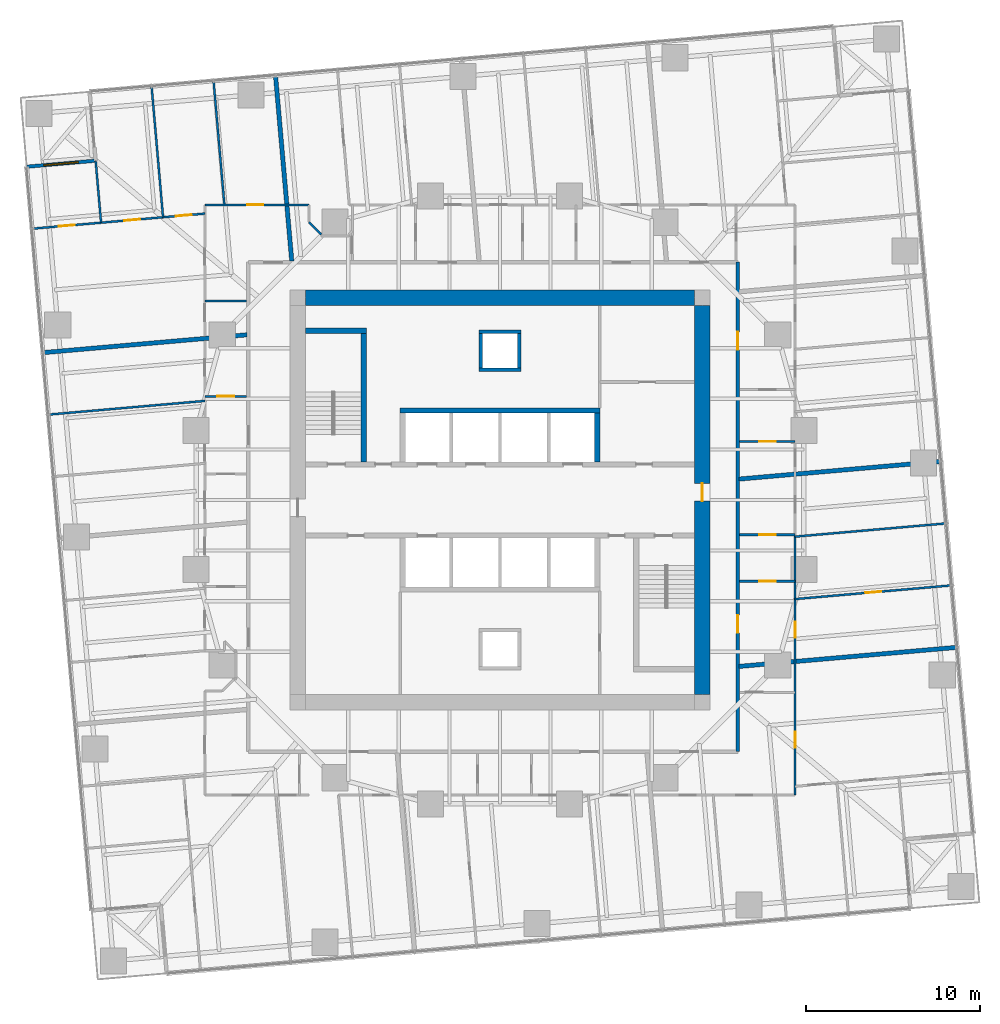
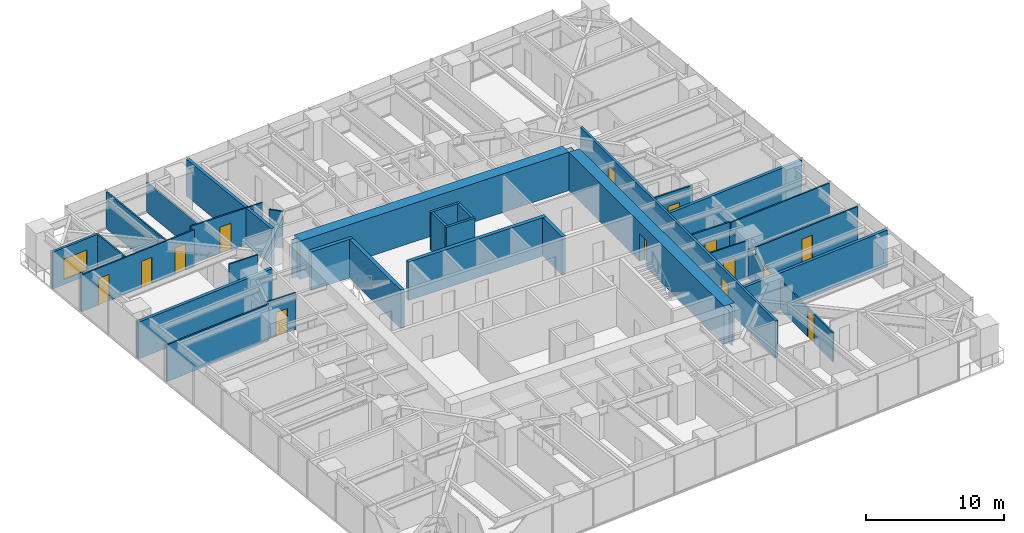
# One storey, part 11 of 14: 31 walls, 14 doors, 1 window, 15 openings.
"""IFC4 building model written with IfcOpenShell, lengths in metres."""

from ifc_helpers import new_model, si_unit, direction, frame, frame_2d, origin, place, context, subcontext, project, spatial, polyline, rectangle, outline, extrude, material, layer, layer_set, type_object, element, fill, save


model = new_model("IFC4")

# Units and contexts
model_context = context("Model", 3, precision=1e-05, world=origin(), true_north=direction((0.0, 1.0)))
body_context = subcontext(model_context, "Body", "Model", "MODEL_VIEW")
ifc_project = project(units=[si_unit("LENGTHUNIT", "METRE"), si_unit("AREAUNIT", "SQUARE_METRE"), si_unit("VOLUMEUNIT", "CUBIC_METRE"), si_unit("PLANEANGLEUNIT", "RADIAN"), si_unit("MASSUNIT", "GRAM", prefix="KILO")], contexts=[model_context])

# Site, building, storey
site_placement = place(None, origin())
site = spatial("IfcSite", under=ifc_project, at=site_placement, CompositionType="ELEMENT")
building_placement = place(site_placement, origin())
building = spatial("IfcBuilding", under=site, at=building_placement, Name="Torsade Residences", CompositionType="ELEMENT")
storey_placement = place(building_placement, frame((0.0, 0.0, 54.0)))
storey = spatial("IfcBuildingStorey", under=building, at=storey_placement, Name="L14", CompositionType="ELEMENT", Elevation=54.0)

# Walls
ifc_material_1 = material(Name="Concrete 80 MPa", Category="concrete")
ifc_layer_1 = layer(ifc_material_1, 0.300048828125)
ifc_layer_set_1 = layer_set([ifc_layer_1], Name="Concrete 80 MPa")
wall_type_1 = type_object("IfcWallType", Name="CORE INTERNAL WALL 300", PredefinedType="SHEAR", material=ifc_layer_set_1)
wall_1_placement = place(storey_placement, frame((34.25, 35.14990234375, 0.0), z_axis=(0.0, 0.0, 1.0), x_axis=(1.0, 0.0, 0.0)))
element("IfcWall", 1, at=wall_1_placement, inside=storey, type_object=wall_type_1, Name="Core wall BN L14", PredefinedType="SHEAR", context=body_context, shape_type="SweptSolid", body=[
    extrude(rectangle(XDim=11.5, YDim=0.300048828125, at=frame_2d((5.75, 0.0))), origin(), (0.0, 0.0, 1.0), 3.39990234375),
])
wall_2_placement = place(storey_placement, frame((45.60009765625, 32.199951171875, 0.0), z_axis=(0.0, 0.0, 1.0), x_axis=(0.0, 1.0, 0.0)))
element("IfcWall", 2, at=wall_2_placement, inside=storey, type_object=wall_type_1, Name="Core wall DN4 L14", PredefinedType="SHEAR", context=body_context, shape_type="SweptSolid", body=[
    extrude(rectangle(XDim=2.800048828125, YDim=0.300048828125, at=frame_2d((1.39990234375, 0.0))), origin(), (0.0, 0.0, 1.0), 3.39990234375),
])
wall_3_placement = place(storey_placement, frame((32.14990234375, 32.199951171875, 0.0), z_axis=(0.0, 0.0, 1.0), x_axis=(0.0, 1.0, 0.0)))
element("IfcWall", 3, at=wall_3_placement, inside=storey, type_object=wall_type_1, Name="Core wall ST1E L14", PredefinedType="SHEAR", context=body_context, shape_type="SweptSolid", body=[
    extrude(rectangle(XDim=7.699951171875, YDim=0.300048828125, at=frame_2d((3.85009765625, 0.0))), origin(), (0.0, 0.0, 1.0), 3.39990234375),
])
wall_4_placement = place(storey_placement, frame((28.800048828125, 39.75, 0.0), z_axis=(0.0, 0.0, 1.0), x_axis=(1.0, 0.0, 0.0)))
element("IfcWall", 4, at=wall_4_placement, inside=storey, type_object=wall_type_1, Name="Core wall ST1N L14", PredefinedType="SHEAR", context=body_context, shape_type="SweptSolid", body=[
    extrude(rectangle(XDim=3.5, YDim=0.300048828125, at=frame_2d((1.75, 0.0))), origin(), (0.0, 0.0, 1.0), 3.39990234375),
])
ifc_material_2 = material(Name="Concrete 80 MPa", Category="concrete")
ifc_layer_2 = layer(ifc_material_2, 0.89990234375)
ifc_layer_set_2 = layer_set([ifc_layer_2], Name="Concrete 80 MPa")
wall_type_2 = type_object("IfcWallType", Name="CORE WALL 900", PredefinedType="SHEAR", material=ifc_layer_set_2)
wall_5_placement = place(storey_placement, frame((28.800048828125, 41.64990234375, 0.0), z_axis=(0.0, 0.0, 1.0), x_axis=(1.0, 0.0, 0.0)))
element("IfcWall", 5, at=wall_5_placement, inside=storey, type_object=wall_type_2, Name="Core wall N L14", PredefinedType="SHEAR", context=body_context, shape_type="SweptSolid", body=[
    extrude(outline(polyline([(0.0, -0.449951171875), (22.39990234375, -0.449951171875), (22.39990234375, -0.02490234375), (22.849853515625, -0.02490234375), (22.849853515625, 0.02490234375), (22.39990234375, 0.02490234375), (22.39990234375, 0.449951171875), (0.0, 0.449951171875), (0.0, 0.02490234375), (-0.449951171875, 0.02490234375), (-0.449951171875, -0.02490234375), (0.0, -0.02490234375), (0.0, -0.449951171875)])), origin(), (0.0, 0.0, 1.0), 3.39990234375),
])

# Wall, opening, door
wall_6_placement = place(storey_placement, frame((51.64990234375, 18.800048828125, 0.0), z_axis=(0.0, 0.0, 1.0), x_axis=(0.0, 1.0, 0.0)))
wall_6 = element("IfcWall", 6, at=wall_6_placement, inside=storey, type_object=wall_type_2, Name="Core wall E L14", PredefinedType="SHEAR", context=body_context, shape_type="SweptSolid", body=[
    extrude(outline(polyline([(0.0, -0.449951171875), (22.39990234375, -0.449951171875), (22.39990234375, -0.02490234375), (22.849853515625, -0.02490234375), (22.849853515625, 0.02490234375), (22.39990234375, 0.02490234375), (22.39990234375, 0.449951171875), (0.0, 0.449951171875), (0.0, 0.02490234375), (-0.449951171875, 0.02490234375), (-0.449951171875, -0.02490234375), (0.0, -0.02490234375), (0.0, -0.449951171875)])), origin(), (0.0, 0.0, 1.0), 3.39990234375),
])
opening_1_placement = place(wall_6_placement, frame((11.139892578125, 0.0, 0.0)))
opening_1 = element("IfcOpeningElement", 7, at=opening_1_placement, cuts=wall_6, Name="Opening D04", PredefinedType="OPENING", context=body_context, shape_type="SweptSolid", body=[
    extrude(rectangle(XDim=1.02001953125, YDim=2.39990234375, at=frame_2d((0.510009765625, 1.199951171875))), frame((0.0, 0.4599609375, 0.0), z_axis=(0.0, -1.0, 0.0), x_axis=(1.0, 0.0, 0.0)), (0.0, 0.0, 1.0), 0.919921875),
])
ifc_material_3 = material(Name="Steel-framed fire door", Category="steel")
door_type_1 = type_object("IfcDoorType", Name="LOBBY SMOKE DOOR 1020x2400", OperationType="NOTDEFINED", PredefinedType="DOOR", material=ifc_material_3)
door_1_placement = place(opening_1_placement, origin())
door_1 = element("IfcDoor", 8, at=door_1_placement, inside=storey, type_object=door_type_1, Name="Lift lobby door E L14", OperationType="SINGLE_SWING_LEFT", OverallHeight=2.39990234375, OverallWidth=1.02001953125, PredefinedType="DOOR", context=body_context, shape_type="SweptSolid", body=[
    extrude(rectangle(XDim=1.02001953125, YDim=2.39990234375, at=frame_2d((0.510009765625, 1.199951171875))), frame((0.0, 0.02490234375, 0.0), z_axis=(0.0, -1.0, 0.0), x_axis=(1.0, 0.0, 0.0)), (0.0, 0.0, 1.0), 0.050048828125),
])
fill(opening_1, door_1)

# Wall, openings, doors
ifc_material_4 = material(Name="Plasterboard on steel stud", Category="steel")
ifc_layer_3 = layer(ifc_material_4, 0.199951171875)
ifc_layer_set_3 = layer_set([ifc_layer_3], Name="Plasterboard on steel stud")
wall_type_3 = type_object("IfcWallType", Name="CORRIDOR WALL 200", PredefinedType="PARTITIONING", material=ifc_layer_set_3)
wall_7_placement = place(storey_placement, frame((53.699951171875, 15.5, 0.0), z_axis=(0.0, 0.0, 1.0), x_axis=(0.0, 1.0, 0.0)))
wall_7 = element("IfcWall", 9, at=wall_7_placement, inside=storey, type_object=wall_type_3, Name="Corridor wall L14", PredefinedType="PARTITIONING", context=body_context, shape_type="SweptSolid", body=[
    extrude(rectangle(XDim=28.199951171875, YDim=0.199951171875, at=frame_2d((14.10009765625, 0.0))), origin(), (0.0, 0.0, 1.0), 3.25),
])
opening_2_placement = place(wall_7_placement, frame((23.1611328125, 0.0, 0.0)))
opening_2 = element("IfcOpeningElement", 10, at=opening_2_placement, cuts=wall_7, Name="Opening D01", PredefinedType="OPENING", context=body_context, shape_type="SweptSolid", body=[
    extrude(rectangle(XDim=1.02001953125, YDim=2.340087890625, at=frame_2d((0.510009765625, 1.169921875))), frame((0.0, 0.10986328125, 0.0), z_axis=(0.0, -1.0, 0.0), x_axis=(1.0, 0.0, 0.0)), (0.0, 0.0, 1.0), 0.219970703125),
])
opening_3_placement = place(wall_7_placement, frame((6.849609375, 0.0, 0.0)))
opening_3 = element("IfcOpeningElement", 11, at=opening_3_placement, cuts=wall_7, Name="Opening D01", PredefinedType="OPENING", context=body_context, shape_type="SweptSolid", body=[
    extrude(rectangle(XDim=1.02001953125, YDim=2.340087890625, at=frame_2d((0.510009765625, 1.169921875))), frame((0.0, 0.10986328125, 0.0), z_axis=(0.0, -1.0, 0.0), x_axis=(1.0, 0.0, 0.0)), (0.0, 0.0, 1.0), 0.219970703125),
])
ifc_material_5 = material(Name="Solid-core timber fire door", Category="wood")
door_type_2 = type_object("IfcDoorType", Name="APARTMENT ENTRY DOOR 1020x2340", OperationType="NOTDEFINED", PredefinedType="DOOR", material=ifc_material_5)
door_2_placement = place(opening_2_placement, origin())
door_2 = element("IfcDoor", 12, at=door_2_placement, inside=storey, type_object=door_type_2, Name="Door Residential corridor to Kitchen and dining", OperationType="SINGLE_SWING_LEFT", OverallHeight=2.340087890625, OverallWidth=1.02001953125, PredefinedType="DOOR", context=body_context, shape_type="SweptSolid", body=[
    extrude(rectangle(XDim=1.02001953125, YDim=2.340087890625, at=frame_2d((0.510009765625, 1.169921875))), frame((0.0, 0.02490234375, 0.0), z_axis=(0.0, -1.0, 0.0), x_axis=(1.0, 0.0, 0.0)), (0.0, 0.0, 1.0), 0.050048828125),
])
fill(opening_2, door_2)
door_3_placement = place(opening_3_placement, origin())
door_3 = element("IfcDoor", 13, at=door_3_placement, inside=storey, type_object=door_type_2, Name="Door Residential corridor to Kitchen and dining", OperationType="SINGLE_SWING_RIGHT", OverallHeight=2.340087890625, OverallWidth=1.02001953125, PredefinedType="DOOR", context=body_context, shape_type="SweptSolid", body=[
    extrude(rectangle(XDim=1.02001953125, YDim=2.340087890625, at=frame_2d((0.510009765625, 1.169921875))), frame((0.0, 0.02490234375, 0.0), z_axis=(0.0, -1.0, 0.0), x_axis=(1.0, 0.0, 0.0)), (0.0, 0.0, 1.0), 0.050048828125),
])
fill(opening_3, door_3)

ifc_material_6 = material(Name="Plasterboard on steel stud", Category="steel")
ifc_layer_4 = layer(ifc_material_6, 0.1201171875)
ifc_layer_set_4 = layer_set([ifc_layer_4], Name="Plasterboard on steel stud")
wall_type_4 = type_object("IfcWallType", Name="PARTITION 120", PredefinedType="PARTITIONING", material=ifc_layer_set_4)
wall_8_placement = place(storey_placement, frame((57.0, 27.9404296875, 0.0), z_axis=(0.0, 0.0, 1.0), x_axis=(0.0, -1.0, 0.0)))
wall_8 = element("IfcWall", 14, at=wall_8_placement, inside=storey, type_object=wall_type_4, Name="Partition L14", PredefinedType="PARTITIONING", context=body_context, shape_type="SweptSolid", body=[
    extrude(rectangle(XDim=14.9404296875, YDim=0.1201171875, at=frame_2d((7.47021484375, 0.0))), origin(), (0.0, 0.0, 1.0), 2.550048828125),
])
opening_4_placement = place(wall_8_placement, frame((4.960693359375, 0.0, 0.0)))
opening_4 = element("IfcOpeningElement", 15, at=opening_4_placement, cuts=wall_8, Name="Opening D02", PredefinedType="OPENING", context=body_context, shape_type="SweptSolid", body=[
    extrude(rectangle(XDim=0.919921875, YDim=2.340087890625, at=frame_2d((0.4599609375, 1.169921875))), frame((0.0, 0.070068359375, 0.0), z_axis=(0.0, -1.0, 0.0), x_axis=(1.0, 0.0, 0.0)), (0.0, 0.0, 1.0), 0.14013671875),
])
opening_5_placement = place(wall_8_placement, frame((11.295654296875, 0.0, 0.0)))
opening_5 = element("IfcOpeningElement", 16, at=opening_5_placement, cuts=wall_8, Name="Opening D02", PredefinedType="OPENING", context=body_context, shape_type="SweptSolid", body=[
    extrude(rectangle(XDim=0.919921875, YDim=2.340087890625, at=frame_2d((0.4599609375, 1.169921875))), frame((0.0, 0.070068359375, 0.0), z_axis=(0.0, -1.0, 0.0), x_axis=(1.0, 0.0, 0.0)), (0.0, 0.0, 1.0), 0.14013671875),
])
ifc_material_7 = material(Name="Hollow-core timber door", Category="wood")
door_type_3 = type_object("IfcDoorType", Name="INTERNAL DOOR 920x2340", OperationType="NOTDEFINED", PredefinedType="DOOR", material=ifc_material_7)
door_4_placement = place(opening_4_placement, origin())
door_4 = element("IfcDoor", 17, at=door_4_placement, inside=storey, type_object=door_type_3, Name="Door Kitchen and dining to Living room", OperationType="SINGLE_SWING_RIGHT", OverallHeight=2.340087890625, OverallWidth=0.919921875, PredefinedType="DOOR", context=body_context, shape_type="SweptSolid", body=[
    extrude(rectangle(XDim=0.919921875, YDim=2.340087890625, at=frame_2d((0.4599609375, 1.169921875))), frame((0.0, 0.02490234375, 0.0), z_axis=(0.0, -1.0, 0.0), x_axis=(1.0, 0.0, 0.0)), (0.0, 0.0, 1.0), 0.050048828125),
])
fill(opening_4, door_4)
door_5_placement = place(opening_5_placement, origin())
door_5 = element("IfcDoor", 18, at=door_5_placement, inside=storey, type_object=door_type_3, Name="Door Kitchen and dining to Living room", OperationType="SINGLE_SWING_RIGHT", OverallHeight=2.340087890625, OverallWidth=0.919921875, PredefinedType="DOOR", context=body_context, shape_type="SweptSolid", body=[
    extrude(rectangle(XDim=0.919921875, YDim=2.340087890625, at=frame_2d((0.4599609375, 1.169921875))), frame((0.0, 0.02490234375, 0.0), z_axis=(0.0, -1.0, 0.0), x_axis=(1.0, 0.0, 0.0)), (0.0, 0.0, 1.0), 0.050048828125),
])
fill(opening_5, door_5)

# Wall, opening, door
wall_9_placement = place(storey_placement, frame((53.800048828125, 25.321533203125, 0.0), z_axis=(0.0, 0.0, 1.0), x_axis=(1.0, 0.0, 0.0)))
wall_9 = element("IfcWall", 19, at=wall_9_placement, inside=storey, type_object=wall_type_4, Name="Partition L14", PredefinedType="PARTITIONING", context=body_context, shape_type="SweptSolid", body=[
    extrude(rectangle(XDim=3.199951171875, YDim=0.1201171875, at=frame_2d((1.60009765625, 0.0))), origin(), (0.0, 0.0, 1.0), 3.25),
])
opening_6_placement = place(wall_9_placement, frame((1.1201171875, 0.0, 0.0)))
opening_6 = element("IfcOpeningElement", 20, at=opening_6_placement, cuts=wall_9, Name="Opening D05", PredefinedType="OPENING", context=body_context, shape_type="SweptSolid", body=[
    extrude(rectangle(XDim=0.9599609375, YDim=2.10009765625, at=frame_2d((0.47998046875, 1.050048828125))), frame((0.0, 0.070068359375, 0.0), z_axis=(0.0, -1.0, 0.0), x_axis=(1.0, 0.0, 0.0)), (0.0, 0.0, 1.0), 0.14013671875),
])
ifc_material_8 = material(Name="Hollow-core timber door in a steel cavity frame", Category="steel")
door_type_4 = type_object("IfcDoorType", Name="BATHROOM CAVITY SLIDING DOOR 960", OperationType="SLIDING_TO_LEFT", PredefinedType="DOOR", material=ifc_material_8)
door_6_placement = place(opening_6_placement, origin())
door_6 = element("IfcDoor", 21, at=door_6_placement, inside=storey, type_object=door_type_4, Name="Door Kitchen and dining to Ensuite", OperationType="SLIDING_TO_LEFT", OverallHeight=2.10009765625, OverallWidth=0.9599609375, PredefinedType="DOOR", context=body_context, shape_type="SweptSolid", body=[
    extrude(rectangle(XDim=0.9599609375, YDim=2.10009765625, at=frame_2d((0.47998046875, 1.050048828125))), frame((0.0, 0.02490234375, 0.0), z_axis=(0.0, -1.0, 0.0), x_axis=(1.0, 0.0, 0.0)), (0.0, 0.0, 1.0), 0.050048828125),
])
fill(opening_6, door_6)

wall_10_placement = place(storey_placement, frame((57.0, 27.996826171875, 0.0), z_axis=(0.0, 0.0, 1.0), x_axis=(-1.0, 0.0, 0.0)))
wall_10 = element("IfcWall", 22, at=wall_10_placement, inside=storey, type_object=wall_type_4, Name="Partition L14", PredefinedType="PARTITIONING", context=body_context, shape_type="SweptSolid", body=[
    extrude(rectangle(XDim=3.199951171875, YDim=0.1201171875, at=frame_2d((1.60009765625, 0.0))), origin(), (0.0, 0.0, 1.0), 3.25),
])
opening_7_placement = place(wall_10_placement, frame((1.1201171875, 0.0, 0.0)))
opening_7 = element("IfcOpeningElement", 23, at=opening_7_placement, cuts=wall_10, Name="Opening D05", PredefinedType="OPENING", context=body_context, shape_type="SweptSolid", body=[
    extrude(rectangle(XDim=0.9599609375, YDim=2.10009765625, at=frame_2d((0.47998046875, 1.050048828125))), frame((0.0, 0.070068359375, 0.0), z_axis=(0.0, -1.0, 0.0), x_axis=(1.0, 0.0, 0.0)), (0.0, 0.0, 1.0), 0.14013671875),
])
door_7_placement = place(opening_7_placement, origin())
door_7 = element("IfcDoor", 24, at=door_7_placement, inside=storey, type_object=door_type_4, Name="Door Ensuite to Bathroom", OperationType="SLIDING_TO_LEFT", OverallHeight=2.10009765625, OverallWidth=0.9599609375, PredefinedType="DOOR", context=body_context, shape_type="SweptSolid", body=[
    extrude(rectangle(XDim=0.9599609375, YDim=2.10009765625, at=frame_2d((0.47998046875, 1.050048828125))), frame((0.0, 0.02490234375, 0.0), z_axis=(0.0, -1.0, 0.0), x_axis=(1.0, 0.0, 0.0)), (0.0, 0.0, 1.0), 0.050048828125),
])
fill(opening_7, door_7)

wall_11_placement = place(storey_placement, frame((57.0, 24.293212890625, 0.0), z_axis=(0.0, 0.0, 1.0), x_axis=(0.996194246178, 0.087160907995, 0.0)))
wall_11 = element("IfcWall", 25, at=wall_11_placement, inside=storey, type_object=wall_type_4, Name="Partition L14", PredefinedType="PARTITIONING", context=body_context, shape_type="SweptSolid", body=[
    extrude(rectangle(XDim=9.022216796875, YDim=0.1201171875, at=frame_2d((4.51123046875, 0.0))), origin(), (0.0, 0.0, 1.0), 3.25),
])
opening_8_placement = place(wall_11_placement, frame((4.071044921875, 0.0, 0.0)))
opening_8 = element("IfcOpeningElement", 26, at=opening_8_placement, cuts=wall_11, Name="Opening D02", PredefinedType="OPENING", context=body_context, shape_type="SweptSolid", body=[
    extrude(rectangle(XDim=0.919921875, YDim=2.340087890625, at=frame_2d((0.4599609375, 1.169921875))), frame((0.0, 0.070068359375, 0.0), z_axis=(0.0, -1.0, 0.0), x_axis=(1.0, 0.0, 0.0)), (0.0, 0.0, 1.0), 0.14013671875),
])
door_8_placement = place(opening_8_placement, origin())
door_8 = element("IfcDoor", 27, at=door_8_placement, inside=storey, type_object=door_type_3, Name="Door Living room to Bedroom 1", OperationType="SINGLE_SWING_LEFT", OverallHeight=2.340087890625, OverallWidth=0.919921875, PredefinedType="DOOR", context=body_context, shape_type="SweptSolid", body=[
    extrude(rectangle(XDim=0.919921875, YDim=2.340087890625, at=frame_2d((0.4599609375, 1.169921875))), frame((0.0, 0.02490234375, 0.0), z_axis=(0.0, -1.0, 0.0), x_axis=(1.0, 0.0, 0.0)), (0.0, 0.0, 1.0), 0.050048828125),
])
fill(opening_8, door_8)

# Wall
wall_12_placement = place(storey_placement, frame((57.0, 27.890380859375, 0.0), z_axis=(0.0, 0.0, 1.0), x_axis=(0.996194478193, 0.087158256162, 0.0)))
element("IfcWall", 28, at=wall_12_placement, inside=storey, type_object=wall_type_4, Name="Partition L14", PredefinedType="PARTITIONING", context=body_context, shape_type="SweptSolid", body=[
    extrude(rectangle(XDim=8.708740234375, YDim=0.1201171875, at=frame_2d((4.3544921875, 0.0))), origin(), (0.0, 0.0, 1.0), 3.25),
])

# Wall, opening, door
wall_13_placement = place(storey_placement, frame((57.0, 33.366943359375, 0.0), z_axis=(0.0, 0.0, 1.0), x_axis=(-1.0, 0.0, 0.0)))
wall_13 = element("IfcWall", 29, at=wall_13_placement, inside=storey, type_object=wall_type_4, Name="Partition L14", PredefinedType="PARTITIONING", context=body_context, shape_type="SweptSolid", body=[
    extrude(rectangle(XDim=3.199951171875, YDim=0.1201171875, at=frame_2d((1.60009765625, 0.0))), origin(), (0.0, 0.0, 1.0), 3.25),
])
opening_9_placement = place(wall_13_placement, frame((1.1201171875, 0.0, 0.0)))
opening_9 = element("IfcOpeningElement", 30, at=opening_9_placement, cuts=wall_13, Name="Opening D05", PredefinedType="OPENING", context=body_context, shape_type="SweptSolid", body=[
    extrude(rectangle(XDim=0.9599609375, YDim=2.10009765625, at=frame_2d((0.47998046875, 1.050048828125))), frame((0.0, 0.070068359375, 0.0), z_axis=(0.0, -1.0, 0.0), x_axis=(1.0, 0.0, 0.0)), (0.0, 0.0, 1.0), 0.14013671875),
])
door_9_placement = place(opening_9_placement, origin())
door_9 = element("IfcDoor", 31, at=door_9_placement, inside=storey, type_object=door_type_4, Name="Door Bathroom to Ensuite", OperationType="SLIDING_TO_LEFT", OverallHeight=2.10009765625, OverallWidth=0.9599609375, PredefinedType="DOOR", context=body_context, shape_type="SweptSolid", body=[
    extrude(rectangle(XDim=0.9599609375, YDim=2.10009765625, at=frame_2d((0.47998046875, 1.050048828125))), frame((0.0, 0.02490234375, 0.0), z_axis=(0.0, -1.0, 0.0), x_axis=(1.0, 0.0, 0.0)), (0.0, 0.0, 1.0), 0.050048828125),
])
fill(opening_9, door_9)

wall_14_placement = place(storey_placement, frame((23.0, 47.0, 0.0), z_axis=(0.0, 0.0, 1.0), x_axis=(1.0, 0.0, 0.0)))
wall_14 = element("IfcWall", 32, at=wall_14_placement, inside=storey, type_object=wall_type_4, Name="Partition L14", PredefinedType="PARTITIONING", context=body_context, shape_type="SweptSolid", body=[
    extrude(rectangle(XDim=6.0, YDim=0.1201171875, at=frame_2d((3.0, 0.0))), origin(), (0.0, 0.0, 1.0), 3.25),
])
opening_10_placement = place(wall_14_placement, frame((2.43798828125, 0.0, 0.0)))
opening_10 = element("IfcOpeningElement", 33, at=opening_10_placement, cuts=wall_14, Name="Opening D02", PredefinedType="OPENING", context=body_context, shape_type="SweptSolid", body=[
    extrude(rectangle(XDim=0.919921875, YDim=2.340087890625, at=frame_2d((0.4599609375, 1.169921875))), frame((0.0, 0.070068359375, 0.0), z_axis=(0.0, -1.0, 0.0), x_axis=(1.0, 0.0, 0.0)), (0.0, 0.0, 1.0), 0.14013671875),
])
door_10_placement = place(opening_10_placement, origin())
door_10 = element("IfcDoor", 34, at=door_10_placement, inside=storey, type_object=door_type_3, Name="Door Kitchen and dining to Study", OperationType="SINGLE_SWING_RIGHT", OverallHeight=2.340087890625, OverallWidth=0.919921875, PredefinedType="DOOR", context=body_context, shape_type="SweptSolid", body=[
    extrude(rectangle(XDim=0.919921875, YDim=2.340087890625, at=frame_2d((0.4599609375, 1.169921875))), frame((0.0, 0.02490234375, 0.0), z_axis=(0.0, -1.0, 0.0), x_axis=(1.0, 0.0, 0.0)), (0.0, 0.0, 1.0), 0.050048828125),
])
fill(opening_10, door_10)

# Walls
wall_15_placement = place(storey_placement, frame((29.0, 46.0, 0.0), z_axis=(0.0, 0.0, 1.0), x_axis=(0.707106781187, -0.707106781187, 0.0)))
element("IfcWall", 35, at=wall_15_placement, inside=storey, type_object=wall_type_4, Name="Partition L14", PredefinedType="PARTITIONING", context=body_context, shape_type="SweptSolid", body=[
    extrude(rectangle(XDim=0.989990234375, YDim=0.1201171875, at=frame_2d((0.4951171875, 0.0))), origin(), (0.0, 0.0, 1.0), 3.25),
])
wall_16_placement = place(storey_placement, frame((25.39990234375, 41.474853515625, 0.0), z_axis=(0.0, 0.0, 1.0), x_axis=(-1.0, 0.0, 0.0)))
element("IfcWall", 36, at=wall_16_placement, inside=storey, type_object=wall_type_4, Name="Partition L14", PredefinedType="PARTITIONING", context=body_context, shape_type="SweptSolid", body=[
    extrude(rectangle(XDim=2.39990234375, YDim=0.1201171875, at=frame_2d((1.199951171875, 0.0))), origin(), (0.0, 0.0, 1.0), 3.25),
])

# Wall, openings, doors
wall_17_placement = place(storey_placement, frame((13.075439453125, 45.62939453125, 0.0), z_axis=(0.0, 0.0, 1.0), x_axis=(0.996193637696, 0.087167862274, 0.0)))
wall_17 = element("IfcWall", 37, at=wall_17_placement, inside=storey, type_object=wall_type_4, Name="Partition L14", PredefinedType="PARTITIONING", context=body_context, shape_type="SweptSolid", body=[
    extrude(rectangle(XDim=9.96240234375, YDim=0.1201171875, at=frame_2d((4.981201171875, 0.0))), origin(), (0.0, 0.0, 1.0), 3.25),
])
opening_11_placement = place(wall_17_placement, frame((1.525146484375, 0.0, 0.0)))
opening_11 = element("IfcOpeningElement", 38, at=opening_11_placement, cuts=wall_17, Name="Opening D02", PredefinedType="OPENING", context=body_context, shape_type="SweptSolid", body=[
    extrude(rectangle(XDim=0.919921875, YDim=2.340087890625, at=frame_2d((0.4599609375, 1.169921875))), frame((0.0, 0.070068359375, 0.0), z_axis=(0.0, -1.0, 0.0), x_axis=(1.0, 0.0, 0.0)), (0.0, 0.0, 1.0), 0.14013671875),
])
opening_12_placement = place(wall_17_placement, frame((5.291748046875, 0.0, 0.0)))
opening_12 = element("IfcOpeningElement", 39, at=opening_12_placement, cuts=wall_17, Name="Opening D02", PredefinedType="OPENING", context=body_context, shape_type="SweptSolid", body=[
    extrude(rectangle(XDim=0.919921875, YDim=2.340087890625, at=frame_2d((0.4599609375, 1.169921875))), frame((0.0, 0.070068359375, 0.0), z_axis=(0.0, -1.0, 0.0), x_axis=(1.0, 0.0, 0.0)), (0.0, 0.0, 1.0), 0.14013671875),
])
opening_13_placement = place(wall_17_placement, frame((8.267822265625, 0.0, 0.0)))
opening_13 = element("IfcOpeningElement", 40, at=opening_13_placement, cuts=wall_17, Name="Opening D02", PredefinedType="OPENING", context=body_context, shape_type="SweptSolid", body=[
    extrude(rectangle(XDim=0.919921875, YDim=2.340087890625, at=frame_2d((0.4599609375, 1.169921875))), frame((0.0, 0.070068359375, 0.0), z_axis=(0.0, -1.0, 0.0), x_axis=(1.0, 0.0, 0.0)), (0.0, 0.0, 1.0), 0.14013671875),
])
door_11_placement = place(opening_11_placement, origin())
door_11 = element("IfcDoor", 41, at=door_11_placement, inside=storey, type_object=door_type_3, Name="Door Living room to Family room", OperationType="SINGLE_SWING_RIGHT", OverallHeight=2.340087890625, OverallWidth=0.919921875, PredefinedType="DOOR", context=body_context, shape_type="SweptSolid", body=[
    extrude(rectangle(XDim=0.919921875, YDim=2.340087890625, at=frame_2d((0.4599609375, 1.169921875))), frame((0.0, 0.02490234375, 0.0), z_axis=(0.0, -1.0, 0.0), x_axis=(1.0, 0.0, 0.0)), (0.0, 0.0, 1.0), 0.050048828125),
])
fill(opening_11, door_11)
door_12_placement = place(opening_12_placement, origin())
door_12 = element("IfcDoor", 42, at=door_12_placement, inside=storey, type_object=door_type_3, Name="Door Living room to Bedroom 1", OperationType="SINGLE_SWING_LEFT", OverallHeight=2.340087890625, OverallWidth=0.919921875, PredefinedType="DOOR", context=body_context, shape_type="SweptSolid", body=[
    extrude(rectangle(XDim=0.919921875, YDim=2.340087890625, at=frame_2d((0.4599609375, 1.169921875))), frame((0.0, 0.02490234375, 0.0), z_axis=(0.0, -1.0, 0.0), x_axis=(1.0, 0.0, 0.0)), (0.0, 0.0, 1.0), 0.050048828125),
])
fill(opening_12, door_12)
door_13_placement = place(opening_13_placement, origin())
door_13 = element("IfcDoor", 43, at=door_13_placement, inside=storey, type_object=door_type_3, Name="Door Living room to Bedroom 2", OperationType="SINGLE_SWING_LEFT", OverallHeight=2.340087890625, OverallWidth=0.919921875, PredefinedType="DOOR", context=body_context, shape_type="SweptSolid", body=[
    extrude(rectangle(XDim=0.919921875, YDim=2.340087890625, at=frame_2d((0.4599609375, 1.169921875))), frame((0.0, 0.02490234375, 0.0), z_axis=(0.0, -1.0, 0.0), x_axis=(1.0, 0.0, 0.0)), (0.0, 0.0, 1.0), 0.050048828125),
])
fill(opening_13, door_13)

# Walls
wall_18_placement = place(storey_placement, frame((19.9326171875, 53.801513671875, 0.0), z_axis=(0.0, 0.0, 1.0), x_axis=(0.087161730761, -0.99619417419, 0.0)))
element("IfcWall", 44, at=wall_18_placement, inside=storey, type_object=wall_type_4, Name="Partition L14", PredefinedType="PARTITIONING", context=body_context, shape_type="SweptSolid", body=[
    extrude(rectangle(XDim=7.543212890625, YDim=0.1201171875, at=frame_2d((3.771484375, 0.0))), origin(), (0.0, 0.0, 1.0), 3.25),
])
wall_19_placement = place(storey_placement, frame((17.020263671875, 45.974609375, 0.0), z_axis=(0.0, 0.0, 1.0), x_axis=(-0.087161821847, 0.996194166221, 0.0)))
element("IfcWall", 45, at=wall_19_placement, inside=storey, type_object=wall_type_4, Name="Partition L14", PredefinedType="PARTITIONING", context=body_context, shape_type="SweptSolid", body=[
    extrude(rectangle(XDim=3.543212890625, YDim=0.1201171875, at=frame_2d((1.771484375, 0.0))), origin(), (0.0, 0.0, 1.0), 3.25),
])
wall_20_placement = place(storey_placement, frame((23.502197265625, 54.11376953125, 0.0), z_axis=(0.0, 0.0, 1.0), x_axis=(0.087147441029, -0.996195424363, 0.0)))
element("IfcWall", 46, at=wall_20_placement, inside=storey, type_object=wall_type_4, Name="Partition L14", PredefinedType="PARTITIONING", context=body_context, shape_type="SweptSolid", body=[
    extrude(rectangle(XDim=7.140869140625, YDim=0.1201171875, at=frame_2d((3.5703125, 0.0))), origin(), (0.0, 0.0, 1.0), 2.637939453125),
])

# Wall, opening, door
wall_21_placement = place(storey_placement, frame((23.0, 35.966064453125, 0.0), z_axis=(0.0, 0.0, 1.0), x_axis=(1.0, 0.0, 0.0)))
wall_21 = element("IfcWall", 47, at=wall_21_placement, inside=storey, type_object=wall_type_4, Name="Partition L14", PredefinedType="PARTITIONING", context=body_context, shape_type="SweptSolid", body=[
    extrude(rectangle(XDim=2.39990234375, YDim=0.1201171875, at=frame_2d((1.199951171875, 0.0))), origin(), (0.0, 0.0, 1.0), 3.25),
])
opening_14_placement = place(wall_21_placement, frame((0.719970703125, 0.0, 0.0)))
opening_14 = element("IfcOpeningElement", 48, at=opening_14_placement, cuts=wall_21, Name="Opening D05", PredefinedType="OPENING", context=body_context, shape_type="SweptSolid", body=[
    extrude(rectangle(XDim=0.9599609375, YDim=2.10009765625, at=frame_2d((0.47998046875, 1.050048828125))), frame((0.0, 0.070068359375, 0.0), z_axis=(0.0, -1.0, 0.0), x_axis=(1.0, 0.0, 0.0)), (0.0, 0.0, 1.0), 0.14013671875),
])
door_14_placement = place(opening_14_placement, origin())
door_14 = element("IfcDoor", 49, at=door_14_placement, inside=storey, type_object=door_type_4, Name="Door Kitchen and dining to Bathroom", OperationType="SLIDING_TO_LEFT", OverallHeight=2.10009765625, OverallWidth=0.9599609375, PredefinedType="DOOR", context=body_context, shape_type="SweptSolid", body=[
    extrude(rectangle(XDim=0.9599609375, YDim=2.10009765625, at=frame_2d((0.47998046875, 1.050048828125))), frame((0.0, 0.02490234375, 0.0), z_axis=(0.0, -1.0, 0.0), x_axis=(1.0, 0.0, 0.0)), (0.0, 0.0, 1.0), 0.050048828125),
])
fill(opening_14, door_14)

# Walls
wall_22_placement = place(storey_placement, frame((23.0, 35.706787109375, 0.0), z_axis=(0.0, 0.0, 1.0), x_axis=(-0.996194246178, -0.087160907995, 0.0)))
element("IfcWall", 50, at=wall_22_placement, inside=storey, type_object=wall_type_4, Name="Partition L14", PredefinedType="PARTITIONING", context=body_context, shape_type="SweptSolid", body=[
    extrude(rectangle(XDim=9.022216796875, YDim=0.1201171875, at=frame_2d((4.51123046875, 0.0))), origin(), (0.0, 0.0, 1.0), 3.25),
])
ifc_material_9 = material(Name="Masonry-lined stud party wall", Category="masonry")
ifc_layer_5 = layer(ifc_material_9, 0.25)
ifc_layer_set_5 = layer_set([ifc_layer_5], Name="Masonry-lined stud party wall")
wall_type_5 = type_object("IfcWallType", Name="PARTY WALL 250", PredefinedType="PARTITIONING", material=ifc_layer_set_5)
wall_23_placement = place(storey_placement, frame((13.66015625, 38.486572265625, 0.0), z_axis=(0.0, 0.0, 1.0), x_axis=(0.996193605338, 0.087168232078, 0.0)))
element("IfcWall", 51, at=wall_23_placement, inside=storey, type_object=wall_type_5, Name="Party wall L14", PredefinedType="PARTITIONING", context=body_context, shape_type="SweptSolid", body=[
    extrude(rectangle(XDim=11.813720703125, YDim=0.25, at=frame_2d((5.90673828125, 0.0))), origin(), (0.0, 0.0, 1.0), 3.25),
])
wall_24_placement = place(storey_placement, frame((65.403076171875, 32.222412109375, 0.0), z_axis=(0.0, 0.0, 1.0), x_axis=(-0.996195419442, -0.087147497287, 0.0)))
element("IfcWall", 52, at=wall_24_placement, inside=storey, type_object=wall_type_5, Name="Party wall L14", PredefinedType="PARTITIONING", context=body_context, shape_type="SweptSolid", body=[
    extrude(rectangle(XDim=11.676513671875, YDim=0.25, at=frame_2d((5.83837890625, 0.0))), origin(), (0.0, 0.0, 1.0), 3.25),
])
wall_25_placement = place(storey_placement, frame((66.33984375, 21.513427734375, 0.0), z_axis=(0.0, 0.0, 1.0), x_axis=(-0.996194851608, -0.087153988028, 0.0)))
element("IfcWall", 53, at=wall_25_placement, inside=storey, type_object=wall_type_5, Name="Party wall L14", PredefinedType="PARTITIONING", context=body_context, shape_type="SweptSolid", body=[
    extrude(rectangle(XDim=12.616943359375, YDim=0.25, at=frame_2d((6.30859375, 0.0))), origin(), (0.0, 0.0, 1.0), 3.25),
])
wall_26_placement = place(storey_placement, frame((27.068359375, 54.466064453125, 0.0), z_axis=(0.0, 0.0, 1.0), x_axis=(0.08716441141, -0.996193939644, 0.0)))
element("IfcWall", 54, at=wall_26_placement, inside=storey, type_object=wall_type_5, Name="Party wall L14", PredefinedType="PARTITIONING", context=body_context, shape_type="SweptSolid", body=[
    extrude(rectangle(XDim=10.73583984375, YDim=0.25, at=frame_2d((5.367919921875, 0.0))), origin(), (0.0, 0.0, 1.0), 3.25),
])
ifc_material_10 = material(Name="Reinforced blockwork", Category="masonry")
ifc_layer_6 = layer(ifc_material_10, 0.199951171875)
ifc_layer_set_6 = layer_set([ifc_layer_6], Name="Reinforced blockwork")
wall_type_6 = type_object("IfcWallType", Name="RISER SHAFT WALL 200", PredefinedType="SOLIDWALL", material=ifc_layer_set_6)
for number, where, z_axis, x_axis, name in (
    (55, (38.89990234375, 37.60009765625, 0.0), (0.0, 0.0, 1.0), (0.0, 1.0, 0.0), "Core wall RS1a L14"),
    (56, (41.10009765625, 37.60009765625, 0.0), (0.0, 0.0, 1.0), (0.0, 1.0, 0.0), "Core wall RS1b L14"),
):
    element("IfcWall", number, at=place(storey_placement, frame(where, z_axis=z_axis, x_axis=x_axis)), inside=storey, type_object=wall_type_6, Name=name, PredefinedType="SOLIDWALL", context=body_context, shape_type="SweptSolid", body=[
        extrude(rectangle(XDim=2.0, YDim=0.199951171875, at=frame_2d((1.0, 0.0))), origin(), (0.0, 0.0, 1.0), 3.39990234375),
    ])
for number, where, z_axis, x_axis, name in (
    (57, (38.800048828125, 37.5, 0.0), (0.0, 0.0, 1.0), (1.0, 0.0, 0.0), "Core wall RS1c L14"),
    (58, (38.800048828125, 39.699951171875, 0.0), (0.0, 0.0, 1.0), (1.0, 0.0, 0.0), "Core wall RS1d L14"),
):
    element("IfcWall", number, at=place(storey_placement, frame(where, z_axis=z_axis, x_axis=x_axis)), inside=storey, type_object=wall_type_6, Name=name, PredefinedType="SOLIDWALL", context=body_context, shape_type="SweptSolid", body=[
        extrude(rectangle(XDim=2.39990234375, YDim=0.199951171875, at=frame_2d((1.199951171875, 0.0))), origin(), (0.0, 0.0, 1.0), 3.39990234375),
    ])

# Wall, opening, window
ifc_material_11 = material(Name="Stone-faced precast concrete 40 MPa panel", Category="masonry")
ifc_layer_7 = layer(ifc_material_11, 0.199951171875)
ifc_layer_set_7 = layer_set([ifc_layer_7], Name="Stone-faced precast concrete 40 MPa panel")
wall_type_7 = type_object("IfcWallType", Name="TERRACE WALL 200", PredefinedType="SOLIDWALL", material=ifc_layer_set_7)
wall_27_placement = place(storey_placement, frame((16.7080078125, 49.54443359375, 0.0), z_axis=(0.0, 0.0, 1.0), x_axis=(-0.99619464492, -0.087156350505, 0.0)))
wall_27 = element("IfcWall", 59, at=wall_27_placement, inside=storey, type_object=wall_type_7, Name="Terrace wall L14 9", PredefinedType="SOLIDWALL", context=body_context, shape_type="SweptSolid", body=[
    extrude(rectangle(XDim=4.0, YDim=0.199951171875, at=frame_2d((2.0, 0.0))), origin(), (0.0, 0.0, 1.0), 3.25),
])
opening_15_placement = place(wall_27_placement, frame((1.0, 0.0, 0.449951171875)))
opening_15 = element("IfcOpeningElement", 60, at=opening_15_placement, cuts=wall_27, Name="Opening W1B", PredefinedType="OPENING", context=body_context, shape_type="SweptSolid", body=[
    extrude(rectangle(XDim=2.0, YDim=1.800048828125, at=frame_2d((1.0, 0.89990234375))), frame((0.0, 0.10986328125, 0.0), z_axis=(0.0, -1.0, 0.0), x_axis=(1.0, 0.0, 0.0)), (0.0, 0.0, 1.0), 0.219970703125),
])
ifc_material_12 = material(Name="Aluminium-framed glass window", Category="aluminium")
window_type = type_object("IfcWindowType", Name="TERRACE WINDOW 2000x1800", PartitioningType="SINGLE_PANEL", PredefinedType="WINDOW", material=ifc_material_12)
window_placement = place(opening_15_placement, origin())
window = element("IfcWindow", 61, at=window_placement, inside=storey, type_object=window_type, Name="Terrace window L14 9", OverallHeight=1.800048828125, OverallWidth=2.0, PartitioningType="SINGLE_PANEL", PredefinedType="WINDOW", context=body_context, shape_type="SweptSolid", body=[
    extrude(rectangle(XDim=2.0, YDim=1.800048828125, at=frame_2d((1.0, 0.89990234375))), frame((0.0, 0.030029296875, 0.0), z_axis=(0.0, -1.0, 0.0), x_axis=(1.0, 0.0, 0.0)), (0.0, 0.0, 1.0), 0.06005859375),
])
fill(opening_15, window)

save(model, "model.ifc")
